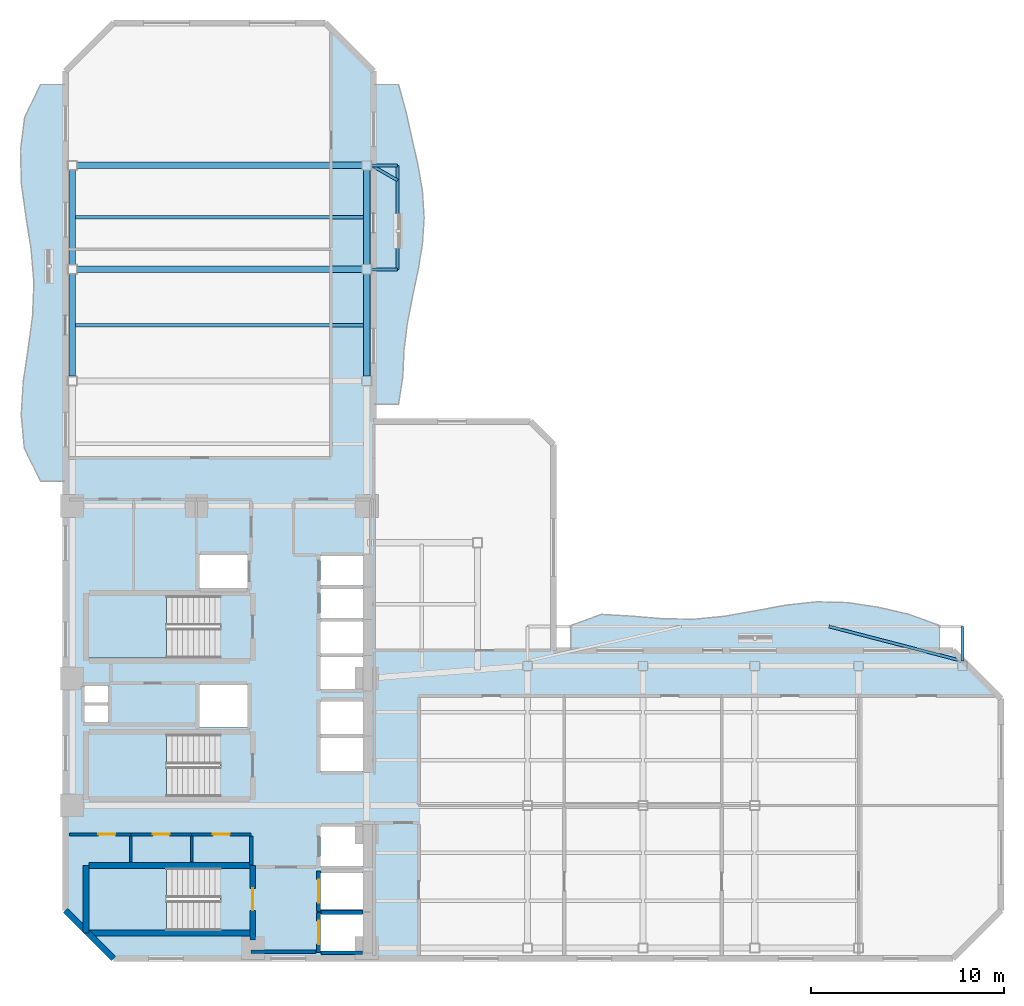
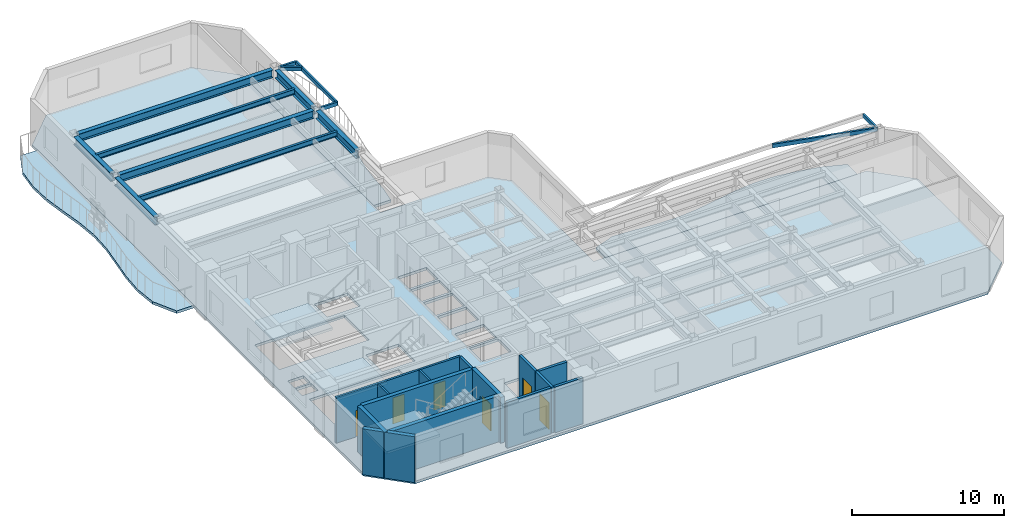
# One storey, part 2 of 9: 16 walls, 14 beams, 7 slabs, 6 doors, 6 openings, 3 elements without a shape of their own.
"""IFC4 building model written with IfcOpenShell, lengths in metres."""

from ifc_helpers import new_model, si_unit, direction, frame, frame_2d, origin, origin_2d, place, context, subcontext, project, spatial, polyline, rectangle, hollow_rectangle, i_section, outline, extrude, material, layer, layer_set, material_profile, profile_set, type_object, element, fill, aggregate, save


model = new_model("IFC4")

# Units and contexts
model_context = context("Model", 3, precision=1e-05, world=origin(), true_north=direction((0.0, 1.0)))
body_context = subcontext(model_context, "Body", "Model", "MODEL_VIEW")
ifc_project = project(units=[si_unit("LENGTHUNIT", "METRE"), si_unit("AREAUNIT", "SQUARE_METRE"), si_unit("VOLUMEUNIT", "CUBIC_METRE"), si_unit("PLANEANGLEUNIT", "RADIAN"), si_unit("MASSUNIT", "GRAM", prefix="KILO")], contexts=[model_context])

# Site, building, storey
site_placement = place(None, origin())
site = spatial("IfcSite", under=ifc_project, at=site_placement, CompositionType="ELEMENT")
building_placement = place(site_placement, origin())
building = spatial("IfcBuilding", under=site, at=building_placement, Name="Mawjaban Terraces University", CompositionType="ELEMENT")
storey_placement = place(building_placement, frame((0.0, 0.0, 126.800048828125)))
storey = spatial("IfcBuildingStorey", under=building, at=storey_placement, Name="L30", CompositionType="ELEMENT", Elevation=126.800048828125)

# Beams
ifc_material_1 = material(Name="Steel EN 10210-1 S355J2H", Category="steel")
ifc_material_profile_1 = material_profile(ifc_material_1, hollow_rectangle(XDim=0.14990234375, YDim=0.300048828125, WallThickness=0.012451171875, at=origin_2d()), Name="RHS300X150X12.5")
ifc_profile_set_1 = profile_set([ifc_material_profile_1], Name="Steel EN 10210-1 S355J2H")
beam_type_1 = type_object("IfcBeamType", Name="BalconyCantileverSpandrel_RHS", PredefinedType="SPANDREL", material=ifc_profile_set_1)
beam_1_placement = place(storey_placement, frame((68.60009765625, 15.449951171875, 3.5400390625), z_axis=(0.0, 1.0, 0.0), x_axis=(-1.0, 0.0, 0.0)))
element("IfcBeam", 1, at=beam_1_placement, inside=storey, type_object=beam_type_1, Name="L30 Exterior Outrigger BAL-L31-N.2", PredefinedType="SPANDREL", context=body_context, shape_type="SweptSolid", body=[
    extrude(hollow_rectangle(XDim=0.14990234375, YDim=0.300048828125, WallThickness=0.012451171875, at=origin_2d()), origin(), (0.0, 0.0, 1.0), 1.800048828125),
])
beam_2_placement = place(storey_placement, frame((68.60009765625, 15.449951171875, 3.5400390625), z_axis=(-0.968014653654, 0.250893663353, 0.0), x_axis=(-0.250893663353, -0.968014653654, 0.0)))
element("IfcBeam", 2, at=beam_2_placement, inside=storey, type_object=beam_type_1, Name="L30 Exterior Diagonal Strut BAL-L31-N.2", PredefinedType="SPANDREL", context=body_context, shape_type="SweptSolid", body=[
    extrude(hollow_rectangle(XDim=0.14990234375, YDim=0.300048828125, WallThickness=0.012451171875, at=origin_2d()), origin(), (0.0, 0.0, 1.0), 7.174560546875),
])
for number, where, z_axis, x_axis, name in (
    (3, (37.89990234375, 35.800048828125, 3.5400390625), (1.0, 0.0, 0.0), (0.0, 1.0, 0.0), "L30 Exterior Outrigger BAL-L31-E.1"),
    (4, (37.89990234375, 41.199951171875, 3.5400390625), (1.0, 0.0, 0.0), (0.0, 1.0, 0.0), "L30 Exterior Outrigger BAL-L31-E.2"),
):
    element("IfcBeam", number, at=place(storey_placement, frame(where, z_axis=z_axis, x_axis=x_axis)), inside=storey, type_object=beam_type_1, Name=name, PredefinedType="SPANDREL", context=body_context, shape_type="SweptSolid", body=[
        extrude(hollow_rectangle(XDim=0.14990234375, YDim=0.300048828125, WallThickness=0.012451171875, at=origin_2d()), origin(), (0.0, 0.0, 1.0), 1.35009765625),
    ])
beam_3_placement = place(storey_placement, frame((39.25, 35.800048828125, 3.5400390625), z_axis=(0.0, 1.0, 0.0), x_axis=(-1.0, 0.0, 0.0)))
element("IfcBeam", 5, at=beam_3_placement, inside=storey, type_object=beam_type_1, Name="L30 Exterior Edge Spandrel BAL-L31-E", PredefinedType="SPANDREL", context=body_context, shape_type="SweptSolid", body=[
    extrude(hollow_rectangle(XDim=0.14990234375, YDim=0.300048828125, WallThickness=0.012451171875, at=origin_2d()), origin(), (0.0, 0.0, 1.0), 5.39990234375),
])
beam_4_placement = place(storey_placement, frame((37.89990234375, 41.199951171875, 3.5400390625), z_axis=(0.865872609263, -0.500264554538, 0.0), x_axis=(0.500264554538, 0.865872609263, 0.0)))
element("IfcBeam", 6, at=beam_4_placement, inside=storey, type_object=beam_type_1, Name="L30 Exterior Diagonal Strut BAL-L31-E.2", PredefinedType="SPANDREL", context=body_context, shape_type="SweptSolid", body=[
    extrude(hollow_rectangle(XDim=0.14990234375, YDim=0.300048828125, WallThickness=0.012451171875, at=origin_2d()), origin(), (0.0, 0.0, 1.0), 1.559326171875),
])
ifc_material_2 = material(Name="Steel ASTM A572 Grade 50", Category="steel")
ifc_material_profile_2 = material_profile(ifc_material_2, i_section(OverallWidth=0.324951171875, OverallDepth=0.615966796875, WebThickness=0.013916015625, FlangeThickness=0.021484375, at=origin_2d()), Name="W610X174")
ifc_profile_set_2 = profile_set([ifc_material_profile_2], Name="Steel ASTM A572 Grade 50")
beam_type_2 = type_object("IfcBeamType", Name="Beam_B_W610X174", PredefinedType="BEAM", material=ifc_profile_set_2)
for number, where, z_axis, x_axis, name in (
    (7, (22.60009765625, 35.800048828125, 3.3818359375), (1.0, 0.0, 0.0), (0.0, 1.0, 0.0), "L30 Beam BM-L30-EW-15"),
    (8, (22.60009765625, 41.199951171875, 3.3818359375), (1.0, 0.0, 0.0), (0.0, 1.0, 0.0), "L30 Beam BM-L30-EW-16"),
):
    element("IfcBeam", number, at=place(storey_placement, frame(where, z_axis=z_axis, x_axis=x_axis)), inside=storey, type_object=beam_type_2, Name=name, PredefinedType="BEAM", context=body_context, shape_type="SweptSolid", body=[
        extrude(i_section(OverallWidth=0.324951171875, OverallDepth=0.615966796875, WebThickness=0.013916015625, FlangeThickness=0.021484375, at=origin_2d()), origin(), (0.0, 0.0, 1.0), 14.7998046875),
    ])
beam_5_placement = place(storey_placement, frame((22.35009765625, 30.25, 3.3818359375), z_axis=(0.0, 1.0, 0.0), x_axis=(-1.0, 0.0, 0.0)))
element("IfcBeam", 9, at=beam_5_placement, inside=storey, type_object=beam_type_2, Name="L30 Beam BM-L30-NS-04", PredefinedType="BEAM", context=body_context, shape_type="SweptSolid", body=[
    extrude(i_section(OverallWidth=0.324951171875, OverallDepth=0.615966796875, WebThickness=0.013916015625, FlangeThickness=0.021484375, at=origin_2d()), origin(), (0.0, 0.0, 1.0), 5.300048828125),
])
beam_6_placement = place(storey_placement, frame((22.35009765625, 36.050048828125, 3.3818359375), z_axis=(0.0, 1.0, 0.0), x_axis=(-1.0, 0.0, 0.0)))
element("IfcBeam", 10, at=beam_6_placement, inside=storey, type_object=beam_type_2, Name="L30 Beam BM-L30-NS-05", PredefinedType="BEAM", context=body_context, shape_type="SweptSolid", body=[
    extrude(i_section(OverallWidth=0.324951171875, OverallDepth=0.615966796875, WebThickness=0.013916015625, FlangeThickness=0.021484375, at=origin_2d()), origin(), (0.0, 0.0, 1.0), 4.89990234375),
])
beam_7_placement = place(storey_placement, frame((37.64990234375, 30.25, 3.3818359375), z_axis=(0.0, 1.0, 0.0), x_axis=(-1.0, 0.0, 0.0)))
element("IfcBeam", 11, at=beam_7_placement, inside=storey, type_object=beam_type_2, Name="L30 Beam BM-L30-NS-10", PredefinedType="BEAM", context=body_context, shape_type="SweptSolid", body=[
    extrude(i_section(OverallWidth=0.324951171875, OverallDepth=0.615966796875, WebThickness=0.013916015625, FlangeThickness=0.021484375, at=origin_2d()), origin(), (0.0, 0.0, 1.0), 5.300048828125),
])
beam_8_placement = place(storey_placement, frame((37.64990234375, 36.050048828125, 3.3818359375), z_axis=(0.0, 1.0, 0.0), x_axis=(-1.0, 0.0, 0.0)))
element("IfcBeam", 12, at=beam_8_placement, inside=storey, type_object=beam_type_2, Name="L30 Beam BM-L30-NS-11", PredefinedType="BEAM", context=body_context, shape_type="SweptSolid", body=[
    extrude(i_section(OverallWidth=0.324951171875, OverallDepth=0.615966796875, WebThickness=0.013916015625, FlangeThickness=0.021484375, at=origin_2d()), origin(), (0.0, 0.0, 1.0), 4.89990234375),
])
ifc_material_profile_3 = material_profile(ifc_material_2, i_section(OverallWidth=0.179931640625, OverallDepth=0.4130859375, WebThickness=0.009765625, FlangeThickness=0.01611328125, at=origin_2d()), Name="W410X74")
ifc_profile_set_3 = profile_set([ifc_material_profile_3], Name="Steel ASTM A572 Grade 50")
beam_type_3 = type_object("IfcBeamType", Name="Beam_J_W410X74", PredefinedType="JOIST", material=ifc_profile_set_3)
for number, where, z_axis, x_axis, name in (
    (13, (22.429931640625, 32.89990234375, 3.48388671875), (1.0, 0.0, 0.0), (0.0, 1.0, 0.0), "L30 Composite Joist JST-L30-19"),
    (14, (22.429931640625, 38.5, 3.48388671875), (1.0, 0.0, 0.0), (0.0, 1.0, 0.0), "L30 Composite Joist JST-L30-20"),
):
    element("IfcBeam", number, at=place(storey_placement, frame(where, z_axis=z_axis, x_axis=x_axis)), inside=storey, type_object=beam_type_3, Name=name, PredefinedType="JOIST", context=body_context, shape_type="SweptSolid", body=[
        extrude(i_section(OverallWidth=0.179931640625, OverallDepth=0.4130859375, WebThickness=0.009765625, FlangeThickness=0.01611328125, at=origin_2d()), origin(), (0.0, 0.0, 1.0), 15.14013671875),
    ])

# Slabs
ifc_material_3 = material(Name="Concrete C40/50", Category="concrete")
ifc_layer_1 = layer(ifc_material_3, 0.2099609375)
ifc_layer_set_1 = layer_set([ifc_layer_1], Name="Concrete C40/50")
slab_type_1 = type_object("IfcSlabType", Name="BalconySlab_210_Ext", PredefinedType="FLOOR", material=ifc_layer_set_1)
slab_1_placement = place(storey_placement, frame((0.0, 0.0, -0.2099609375)))
element("IfcSlab", 15, at=slab_1_placement, inside=storey, type_object=slab_type_1, Name="L30 Planted Balcony Slab west", PredefinedType="FLOOR", context=body_context, shape_type="SweptSolid", body=[
    extrude(outline(polyline([(22.010009765625, 24.800048828125), (22.010009765625, 45.39990234375), (20.699951171875, 45.39990234375), (19.8779296875, 43.68310546875), (19.662109375, 41.967041015625), (19.7109375, 40.25), (19.947998046875, 38.532958984375), (20.218017578125, 36.81689453125), (20.35888671875, 35.10009765625), (20.291015625, 33.383056640625), (20.05810546875, 31.6669921875), (19.805908203125, 29.949951171875), (19.701904296875, 28.23291015625), (19.861083984375, 26.51708984375), (20.699951171875, 24.800048828125), (22.010009765625, 24.800048828125)])), origin(), (0.0, 0.0, 1.0), 0.2099609375),
])
slab_2_placement = place(storey_placement, frame((0.0, 0.0, -0.2099609375)))
element("IfcSlab", 16, at=slab_2_placement, inside=storey, type_object=slab_type_1, Name="L30 Planted Balcony Slab inner_north", PredefinedType="FLOOR", context=body_context, shape_type="SweptSolid", body=[
    extrude(outline(polyline([(48.2509765625, 15.989990234375), (67.39990234375, 15.989990234375), (67.39990234375, 17.300048828125), (65.803955078125, 17.881103515625), (64.208984375, 18.248046875), (62.613037109375, 18.490966796875), (61.01708984375, 18.528076171875), (59.4208984375, 18.35498046875), (57.825927734375, 18.06005859375), (56.22998046875, 17.777099609375), (54.634033203125, 17.6259765625), (53.0380859375, 17.64892578125), (51.44189453125, 17.782958984375), (49.846923828125, 17.8759765625), (48.2509765625, 17.300048828125), (48.2509765625, 15.989990234375)])), origin(), (0.0, 0.0, 1.0), 0.2099609375),
])
slab_3_placement = place(storey_placement, frame((0.0, 0.0, -0.2099609375)))
element("IfcSlab", 17, at=slab_3_placement, inside=storey, type_object=slab_type_1, Name="L30 Planted Balcony Slab inner_east", PredefinedType="FLOOR", context=body_context, shape_type="SweptSolid", body=[
    extrude(outline(polyline([(39.300048828125, 28.800048828125), (39.51904296875, 30.18310546875), (39.5830078125, 31.56689453125), (39.75, 32.949951171875), (40.014892578125, 34.3330078125), (40.31005859375, 35.717041015625), (40.541015625, 37.10009765625), (40.6298828125, 38.48291015625), (40.5419921875, 39.866943359375), (40.303955078125, 41.25), (39.988037109375, 42.633056640625), (39.680908203125, 44.01708984375), (39.300048828125, 45.39990234375), (37.989990234375, 45.39990234375), (37.989990234375, 28.800048828125), (39.300048828125, 28.800048828125)])), origin(), (0.0, 0.0, 1.0), 0.2099609375),
])
ifc_layer_2 = layer(ifc_material_3, 0.2099609375)
ifc_layer_set_2 = layer_set([ifc_layer_2], Name="Concrete C40/50")
slab_type_2 = type_object("IfcSlabType", Name="CompositeSlab_210", PredefinedType="FLOOR", material=ifc_layer_set_2)
slab_4_placement = place(storey_placement, frame((0.0, 0.0, -0.2099609375)))
element("IfcSlab", 18, at=slab_4_placement, inside=storey, type_object=slab_type_2, Name="L30 Primary Structural Slab", PredefinedType="FLOOR", context=body_context, shape_type="SweptSolid", body=[
    extrude(outline(polyline([(24.5, 0.0), (68.10009765625, 0.0), (70.60009765625, 2.5), (70.60009765625, 13.5), (68.10009765625, 16.0), (47.35107421875, 16.0), (47.35107421875, 26.699951171875), (46.15087890625, 27.89990234375), (38.0, 27.89990234375), (38.0, 46.10009765625), (35.5, 48.60009765625), (24.5, 48.60009765625), (22.0, 46.10009765625), (22.0, 2.5), (24.5, 0.0)]), holes=[polyline([(30.014892578125, 4.699951171875), (23.199951171875, 4.699951171875), (23.199951171875, 1.449951171875), (30.014892578125, 1.449951171875), (30.014892578125, 4.699951171875)]), polyline([(30.014892578125, 18.85009765625), (23.199951171875, 18.85009765625), (23.199951171875, 15.60009765625), (30.014892578125, 15.60009765625), (30.014892578125, 18.85009765625)]), polyline([(30.014892578125, 11.64990234375), (23.199951171875, 11.64990234375), (23.199951171875, 8.39990234375), (30.014892578125, 8.39990234375), (30.014892578125, 11.64990234375)]), polyline([(35.25, 0.39990234375), (37.449951171875, 0.39990234375), (37.449951171875, 2.300048828125), (35.25, 2.300048828125), (35.25, 0.39990234375)]), polyline([(35.25, 2.550048828125), (37.449951171875, 2.550048828125), (37.449951171875, 4.449951171875), (35.25, 4.449951171875), (35.25, 2.550048828125)]), polyline([(35.25, 4.800048828125), (37.449951171875, 4.800048828125), (37.449951171875, 6.85009765625), (35.25, 6.85009765625), (35.25, 4.800048828125)]), polyline([(35.25, 9.75), (37.449951171875, 9.75), (37.449951171875, 11.449951171875), (35.25, 11.449951171875), (35.25, 9.75)]), polyline([(35.25, 11.64990234375), (37.449951171875, 11.64990234375), (37.449951171875, 13.35009765625), (35.25, 13.35009765625), (35.25, 11.64990234375)]), polyline([(28.949951171875, 12.0), (31.449951171875, 12.0), (31.449951171875, 14.199951171875), (28.949951171875, 14.199951171875), (28.949951171875, 12.0)]), polyline([(35.25, 14.0), (37.449951171875, 14.0), (37.449951171875, 15.64990234375), (35.25, 15.64990234375), (35.25, 14.0)]), polyline([(35.25, 15.85009765625), (37.449951171875, 15.85009765625), (37.449951171875, 17.5), (35.25, 17.5), (35.25, 15.85009765625)]), polyline([(35.25, 17.699951171875), (37.449951171875, 17.699951171875), (37.449951171875, 19.199951171875), (35.25, 19.199951171875), (35.25, 17.699951171875)]), polyline([(35.25, 19.39990234375), (37.449951171875, 19.39990234375), (37.449951171875, 20.89990234375), (35.25, 20.89990234375), (35.25, 19.39990234375)]), polyline([(28.949951171875, 19.25), (31.449951171875, 19.25), (31.449951171875, 20.949951171875), (28.949951171875, 20.949951171875), (28.949951171875, 19.25)]), polyline([(23.0, 12.25), (24.199951171875, 12.25), (24.199951171875, 13.14990234375), (23.0, 13.14990234375), (23.0, 12.25)]), polyline([(23.0, 13.300048828125), (24.199951171875, 13.300048828125), (24.199951171875, 14.179931640625), (23.0, 14.179931640625), (23.0, 13.300048828125)])]), origin(), (0.0, 0.0, 1.0), 0.2099609375),
])

# Stair, slab
stair_type = type_object("IfcStairType", Name="Stair_Core1550_H39", PredefinedType="HALF_TURN_STAIR", material=ifc_material_3)
stair_1_placement = place(storey_placement, origin())
stair_1 = element("IfcStair", 19, at=stair_1_placement, inside=storey, type_object=stair_type, Name="L30 Core Exit Stair 1", PredefinedType="HALF_TURN_STAIR")
ifc_layer_3 = layer(ifc_material_3, 0.199951171875)
ifc_layer_set_3 = layer_set([ifc_layer_3], Name="Concrete C40/50")
slab_type_3 = type_object("IfcSlabType", Name="StairLandingSlab_200", PredefinedType="LANDING", material=ifc_layer_set_3)
slab_5_placement = place(storey_placement, frame((0.0, 0.0, 1.75)))
slab_5 = element("IfcSlab", 20, at=slab_5_placement, type_object=slab_type_3, Name="ST-1 landing 1", PredefinedType="LANDING", context=body_context, shape_type="SweptSolid", body=[
    extrude(outline(polyline([(27.25, 4.699951171875), (23.199951171875, 4.699951171875), (23.199951171875, 1.449951171875), (27.25, 1.449951171875), (27.25, 4.699951171875)])), origin(), (0.0, 0.0, 1.0), 0.199951171875),
])
aggregate(stair_1, [slab_5])

stair_2_placement = place(storey_placement, origin())
stair_2 = element("IfcStair", 21, at=stair_2_placement, inside=storey, type_object=stair_type, Name="L30 Core Exit Stair 2", PredefinedType="HALF_TURN_STAIR")
slab_6_placement = place(storey_placement, frame((0.0, 0.0, 1.75)))
slab_6 = element("IfcSlab", 22, at=slab_6_placement, type_object=slab_type_3, Name="ST-2 landing 1", PredefinedType="LANDING", context=body_context, shape_type="SweptSolid", body=[
    extrude(outline(polyline([(27.25, 18.85009765625), (23.199951171875, 18.85009765625), (23.199951171875, 15.60009765625), (27.25, 15.60009765625), (27.25, 18.85009765625)])), origin(), (0.0, 0.0, 1.0), 0.199951171875),
])
aggregate(stair_2, [slab_6])

stair_3_placement = place(storey_placement, origin())
stair_3 = element("IfcStair", 23, at=stair_3_placement, inside=storey, type_object=stair_type, Name="L30 Core Exit Stair 3", PredefinedType="HALF_TURN_STAIR")
slab_7_placement = place(storey_placement, frame((0.0, 0.0, 1.75)))
slab_7 = element("IfcSlab", 24, at=slab_7_placement, type_object=slab_type_3, Name="ST-3 landing 1", PredefinedType="LANDING", context=body_context, shape_type="SweptSolid", body=[
    extrude(outline(polyline([(27.25, 11.64990234375), (23.199951171875, 11.64990234375), (23.199951171875, 8.39990234375), (27.25, 8.39990234375), (27.25, 11.64990234375)])), origin(), (0.0, 0.0, 1.0), 0.199951171875),
])
aggregate(stair_3, [slab_7])

# Wall, opening, door
ifc_material_4 = material(Name="Fire-rated gypsum board on steel stud", Category="steel")
ifc_layer_4 = layer(ifc_material_4, 0.159912109375)
ifc_layer_set_4 = layer_set([ifc_layer_4], Name="Fire-rated gypsum board on steel stud")
wall_type_1 = type_object("IfcWallType", Name="CorridorPartition_160", PredefinedType="PARTITIONING", material=ifc_layer_set_4)
wall_1_placement = place(storey_placement, frame((22.199951171875, 6.449951171875, 0.0), z_axis=(0.0, 0.0, 1.0), x_axis=(1.0, 0.0, 0.0)))
wall_1 = element("IfcWall", 25, at=wall_1_placement, inside=storey, type_object=wall_type_1, Name="L30 Core Washroom Lobby Partition 1", PredefinedType="PARTITIONING", context=body_context, shape_type="SweptSolid", body=[
    extrude(rectangle(XDim=3.199951171875, YDim=0.159912109375, at=frame_2d((1.60009765625, 0.0))), origin(), (0.0, 0.0, 1.0), 3.68994140625),
])
opening_1_placement = place(wall_1_placement, frame((1.510009765625, 0.0, 0.0)))
opening_1 = element("IfcOpeningElement", 26, at=opening_1_placement, cuts=wall_1, Name="Opening ID-088", PredefinedType="OPENING", context=body_context, shape_type="SweptSolid", body=[
    extrude(rectangle(XDim=0.8798828125, YDim=2.10009765625, at=frame_2d((0.43994140625, 1.050048828125))), frame((0.0, 0.08984375, 0.0), z_axis=(0.0, -1.0, 0.0), x_axis=(1.0, 0.0, 0.0)), (0.0, 0.0, 1.0), 0.179931640625),
])
ifc_material_5 = material(Name="Powder-coated steel frame and solid acoustic timber leaf", Category="steel")
door_type_1 = type_object("IfcDoorType", Name="ToiletDoor_880x2100", OperationType="NOTDEFINED", PredefinedType="DOOR", material=ifc_material_5)
door_1_placement = place(opening_1_placement, origin())
door_1 = element("IfcDoor", 27, at=door_1_placement, inside=storey, type_object=door_type_1, Name="L30 Male Toilet Door", OperationType="SINGLE_SWING_LEFT", OverallHeight=2.10009765625, OverallWidth=0.8798828125, PredefinedType="DOOR", context=body_context, shape_type="SweptSolid", body=[
    extrude(rectangle(XDim=0.8798828125, YDim=2.10009765625, at=frame_2d((0.43994140625, 1.050048828125))), frame((0.0, 0.02490234375, 0.0), z_axis=(0.0, -1.0, 0.0), x_axis=(1.0, 0.0, 0.0)), (0.0, 0.0, 1.0), 0.050048828125),
])
fill(opening_1, door_1)

wall_2_placement = place(storey_placement, frame((25.39990234375, 6.449951171875, 0.0), z_axis=(0.0, 0.0, 1.0), x_axis=(1.0, 0.0, 0.0)))
wall_2 = element("IfcWall", 28, at=wall_2_placement, inside=storey, type_object=wall_type_1, Name="L30 Core Washroom Lobby Partition 4", PredefinedType="PARTITIONING", context=body_context, shape_type="SweptSolid", body=[
    extrude(rectangle(XDim=3.150146484375, YDim=0.159912109375, at=frame_2d((1.5751953125, 0.0))), origin(), (0.0, 0.0, 1.0), 3.68994140625),
])
opening_2_placement = place(wall_2_placement, frame((1.135009765625, 0.0, 0.0)))
opening_2 = element("IfcOpeningElement", 29, at=opening_2_placement, cuts=wall_2, Name="Opening ID-088", PredefinedType="OPENING", context=body_context, shape_type="SweptSolid", body=[
    extrude(rectangle(XDim=0.8798828125, YDim=2.10009765625, at=frame_2d((0.43994140625, 1.050048828125))), frame((0.0, 0.08984375, 0.0), z_axis=(0.0, -1.0, 0.0), x_axis=(1.0, 0.0, 0.0)), (0.0, 0.0, 1.0), 0.179931640625),
])
door_2_placement = place(opening_2_placement, origin())
door_2 = element("IfcDoor", 30, at=door_2_placement, inside=storey, type_object=door_type_1, Name="L30 Female Toilet Door", OperationType="SINGLE_SWING_RIGHT", OverallHeight=2.10009765625, OverallWidth=0.8798828125, PredefinedType="DOOR", context=body_context, shape_type="SweptSolid", body=[
    extrude(rectangle(XDim=0.8798828125, YDim=2.10009765625, at=frame_2d((0.43994140625, 1.050048828125))), frame((0.0, 0.02490234375, 0.0), z_axis=(0.0, -1.0, 0.0), x_axis=(1.0, 0.0, 0.0)), (0.0, 0.0, 1.0), 0.050048828125),
])
fill(opening_2, door_2)

wall_3_placement = place(storey_placement, frame((28.550048828125, 6.449951171875, 0.0), z_axis=(0.0, 0.0, 1.0), x_axis=(1.0, 0.0, 0.0)))
wall_3 = element("IfcWall", 31, at=wall_3_placement, inside=storey, type_object=wall_type_1, Name="L30 Core Washroom Lobby Partition 6", PredefinedType="PARTITIONING", context=body_context, shape_type="SweptSolid", body=[
    extrude(rectangle(XDim=3.099853515625, YDim=0.159912109375, at=frame_2d((1.5498046875, 0.0))), origin(), (0.0, 0.0, 1.0), 3.68994140625),
])
opening_3_placement = place(wall_3_placement, frame((1.110107421875, 0.0, 0.0)))
opening_3 = element("IfcOpeningElement", 32, at=opening_3_placement, cuts=wall_3, Name="Opening ID-088", PredefinedType="OPENING", context=body_context, shape_type="SweptSolid", body=[
    extrude(rectangle(XDim=0.8798828125, YDim=2.10009765625, at=frame_2d((0.43994140625, 1.050048828125))), frame((0.0, 0.08984375, 0.0), z_axis=(0.0, -1.0, 0.0), x_axis=(1.0, 0.0, 0.0)), (0.0, 0.0, 1.0), 0.179931640625),
])
door_3_placement = place(opening_3_placement, origin())
door_3 = element("IfcDoor", 33, at=door_3_placement, inside=storey, type_object=door_type_1, Name="L30 Accessible Toilet Door", OperationType="SINGLE_SWING_LEFT", OverallHeight=2.10009765625, OverallWidth=0.8798828125, PredefinedType="DOOR", context=body_context, shape_type="SweptSolid", body=[
    extrude(rectangle(XDim=0.8798828125, YDim=2.10009765625, at=frame_2d((0.43994140625, 1.050048828125))), frame((0.0, 0.02490234375, 0.0), z_axis=(0.0, -1.0, 0.0), x_axis=(1.0, 0.0, 0.0)), (0.0, 0.0, 1.0), 0.050048828125),
])
fill(opening_3, door_3)

# Walls
wall_4_placement = place(storey_placement, frame((31.64990234375, 4.860107421875, 0.0), z_axis=(0.0, 0.0, 1.0), x_axis=(0.0, 1.0, 0.0)))
element("IfcWall", 34, at=wall_4_placement, inside=storey, type_object=wall_type_1, Name="L30 Accessible Toilet Partition 31", PredefinedType="PARTITIONING", context=body_context, shape_type="SweptSolid", body=[
    extrude(rectangle(XDim=1.514892578125, YDim=0.159912109375, at=frame_2d((0.75732421875, 0.0))), origin(), (0.0, 0.0, 1.0), 3.68994140625),
])
ifc_material_6 = material(Name="Insulated terracotta rainscreen on concrete backup C40/50", Category="masonry")
ifc_layer_5 = layer(ifc_material_6, 0.300048828125)
ifc_layer_set_5 = layer_set([ifc_layer_5], Name="Insulated terracotta rainscreen on concrete backup C40/50")
wall_type_2 = type_object("IfcWallType", Name="ExtTerracottaWall_300", PredefinedType="SOLIDWALL", material=ifc_layer_set_5)
wall_5_placement = place(storey_placement, frame((22.0, 2.5, 0.0), z_axis=(0.0, 0.0, 1.0), x_axis=(0.707106781187, -0.707106781187, 0.0)))
element("IfcWall", 35, at=wall_5_placement, inside=storey, type_object=wall_type_2, Name="L30 Exterior Terracotta Wall 14", PredefinedType="SOLIDWALL", context=body_context, shape_type="SweptSolid", body=[
    extrude(rectangle(XDim=3.53564453125, YDim=0.300048828125, at=frame_2d((1.767822265625, 0.0))), origin(), (0.0, 0.0, 1.0), 3.68994140625),
])

# Wall, opening, door
ifc_layer_6 = layer(ifc_material_3, 0.199951171875)
ifc_layer_set_6 = layer_set([ifc_layer_6], Name="Concrete C40/50")
wall_type_3 = type_object("IfcWallType", Name="FireLobbyWall_200", PredefinedType="SOLIDWALL", material=ifc_layer_set_6)
wall_6_placement = place(storey_placement, frame((35.14990234375, 2.39990234375, 0.0), z_axis=(0.0, 0.0, 1.0), x_axis=(0.0, -1.0, 0.0)))
wall_6 = element("IfcWall", 36, at=wall_6_placement, inside=storey, type_object=wall_type_3, Name="L30 Lift FL-1 Hoistway Wall West", PredefinedType="SOLIDWALL", context=body_context, shape_type="SweptSolid", body=[
    extrude(rectangle(XDim=2.099853515625, YDim=0.199951171875, at=frame_2d((1.0498046875, 0.0))), origin(), (0.0, 0.0, 1.0), 3.68994140625),
])
opening_4_placement = place(wall_6_placement, frame((0.449951171875, 0.0, 0.0)))
opening_4 = element("IfcOpeningElement", 37, at=opening_4_placement, cuts=wall_6, Name="Opening LD-FL-1", PredefinedType="OPENING", context=body_context, shape_type="SweptSolid", body=[
    extrude(rectangle(XDim=1.199951171875, YDim=2.14990234375, at=frame_2d((0.60009765625, 1.074951171875))), frame((0.0, 0.10986328125, 0.0), z_axis=(0.0, -1.0, 0.0), x_axis=(1.0, 0.0, 0.0)), (0.0, 0.0, 1.0), 0.219970703125),
])
ifc_material_7 = material(Name="Powder-coated steel frame and fire-rated steel-faced leaf", Category="steel")
door_type_2 = type_object("IfcDoorType", Name="LiftLandingFSAE_1200x2150", OperationType="NOTDEFINED", PredefinedType="DOOR", material=ifc_material_7)
door_4_placement = place(opening_4_placement, origin())
door_4 = element("IfcDoor", 38, at=door_4_placement, inside=storey, type_object=door_type_2, Name="L30 Lift FL-1 Sliding Landing Door", OperationType="DOUBLE_DOOR_SLIDING", OverallHeight=2.14990234375, OverallWidth=1.199951171875, PredefinedType="DOOR", context=body_context, shape_type="SweptSolid", body=[
    extrude(rectangle(XDim=1.199951171875, YDim=2.14990234375, at=frame_2d((0.60009765625, 1.074951171875))), frame((0.0, 0.02490234375, 0.0), z_axis=(0.0, -1.0, 0.0), x_axis=(1.0, 0.0, 0.0)), (0.0, 0.0, 1.0), 0.050048828125),
])
fill(opening_4, door_4)

# Walls
for number, where, z_axis, x_axis, name in (
    (39, (35.280029296875, 0.300048828125, 0.0), (0.0, 0.0, 1.0), (1.0, 0.0, 0.0), "L30 Lift FL-1 Hoistway Wall South"),
    (40, (37.419921875, 2.39990234375, 0.0), (0.0, 0.0, 1.0), (-1.0, 0.0, 0.0), "L30 Lift FL-1 Hoistway Wall North"),
):
    element("IfcWall", number, at=place(storey_placement, frame(where, z_axis=z_axis, x_axis=x_axis)), inside=storey, type_object=wall_type_3, Name=name, PredefinedType="SOLIDWALL", context=body_context, shape_type="SweptSolid", body=[
        extrude(rectangle(XDim=2.139892578125, YDim=0.199951171875, at=frame_2d((1.06982421875, 0.0))), origin(), (0.0, 0.0, 1.0), 3.68994140625),
    ])

# Wall, opening, door
wall_7_placement = place(storey_placement, frame((35.14990234375, 4.550048828125, 0.0), z_axis=(0.0, 0.0, 1.0), x_axis=(0.0, -1.0, 0.0)))
wall_7 = element("IfcWall", 41, at=wall_7_placement, inside=storey, type_object=wall_type_3, Name="L30 Lift FL-2 Hoistway Wall West", PredefinedType="SOLIDWALL", context=body_context, shape_type="SweptSolid", body=[
    extrude(rectangle(XDim=2.10009765625, YDim=0.199951171875, at=frame_2d((1.050048828125, 0.0))), origin(), (0.0, 0.0, 1.0), 3.68994140625),
])
opening_5_placement = place(wall_7_placement, frame((0.449951171875, 0.0, 0.0)))
opening_5 = element("IfcOpeningElement", 42, at=opening_5_placement, cuts=wall_7, Name="Opening LD-FL-2", PredefinedType="OPENING", context=body_context, shape_type="SweptSolid", body=[
    extrude(rectangle(XDim=1.199951171875, YDim=2.14990234375, at=frame_2d((0.60009765625, 1.074951171875))), frame((0.0, 0.10986328125, 0.0), z_axis=(0.0, -1.0, 0.0), x_axis=(1.0, 0.0, 0.0)), (0.0, 0.0, 1.0), 0.219970703125),
])
door_5_placement = place(opening_5_placement, origin())
door_5 = element("IfcDoor", 43, at=door_5_placement, inside=storey, type_object=door_type_2, Name="L30 Lift FL-2 Sliding Landing Door", OperationType="DOUBLE_DOOR_SLIDING", OverallHeight=2.14990234375, OverallWidth=1.199951171875, PredefinedType="DOOR", context=body_context, shape_type="SweptSolid", body=[
    extrude(rectangle(XDim=1.199951171875, YDim=2.14990234375, at=frame_2d((0.60009765625, 1.074951171875))), frame((0.0, 0.02490234375, 0.0), z_axis=(0.0, -1.0, 0.0), x_axis=(1.0, 0.0, 0.0)), (0.0, 0.0, 1.0), 0.050048828125),
])
fill(opening_5, door_5)

# Walls
wall_8_placement = place(storey_placement, frame((31.64990234375, 0.35009765625, 0.0), z_axis=(0.0, 0.0, 1.0), x_axis=(1.0, 0.0, 0.0)))
element("IfcWall", 44, at=wall_8_placement, inside=storey, type_object=wall_type_3, Name="L30 Firefighting Lift Lobby Partition 8", PredefinedType="SOLIDWALL", context=body_context, shape_type="SweptSolid", body=[
    extrude(rectangle(XDim=3.3701171875, YDim=0.199951171875, at=frame_2d((1.68505859375, 0.0))), origin(), (0.0, 0.0, 1.0), 3.68994140625),
])
ifc_material_8 = material(Name="Concrete C60/75", Category="concrete")
ifc_layer_7 = layer(ifc_material_8, 0.300048828125)
ifc_layer_set_7 = layer_set([ifc_layer_7], Name="Concrete C60/75")
wall_type_4 = type_object("IfcWallType", Name="StairShaftWall_300", PredefinedType="SHEAR", material=ifc_layer_set_7)
wall_9_placement = place(storey_placement, frame((31.580078125, 4.830078125, 0.0), z_axis=(0.0, 0.0, 1.0), x_axis=(-1.0, 0.0, 0.0)))
element("IfcWall", 45, at=wall_9_placement, inside=storey, type_object=wall_type_4, Name="L30 ST-1 Stair Shaft Wall 1", PredefinedType="SHEAR", context=body_context, shape_type="SweptSolid", body=[
    extrude(rectangle(XDim=8.360107421875, YDim=0.300048828125, at=frame_2d((4.18017578125, 0.0))), origin(), (0.0, 0.0, 1.0), 3.68994140625),
])
wall_10_placement = place(storey_placement, frame((23.070068359375, 4.830078125, 0.0), z_axis=(0.0, 0.0, 1.0), x_axis=(0.0, -1.0, 0.0)))
element("IfcWall", 46, at=wall_10_placement, inside=storey, type_object=wall_type_4, Name="L30 ST-1 Stair Shaft Wall 2", PredefinedType="SHEAR", context=body_context, shape_type="SweptSolid", body=[
    extrude(rectangle(XDim=3.510009765625, YDim=0.300048828125, at=frame_2d((1.7548828125, 0.0))), origin(), (0.0, 0.0, 1.0), 3.68994140625),
])
wall_11_placement = place(storey_placement, frame((23.219970703125, 1.320068359375, 0.0), z_axis=(0.0, 0.0, 1.0), x_axis=(1.0, 0.0, 0.0)))
element("IfcWall", 47, at=wall_11_placement, inside=storey, type_object=wall_type_4, Name="L30 ST-1 Stair Shaft Wall 3", PredefinedType="SHEAR", context=body_context, shape_type="SweptSolid", body=[
    extrude(rectangle(XDim=8.360107421875, YDim=0.300048828125, at=frame_2d((4.18017578125, 0.0))), origin(), (0.0, 0.0, 1.0), 3.68994140625),
])

# Wall, opening, door
wall_12_placement = place(storey_placement, frame((31.72998046875, 0.9599609375, 0.0), z_axis=(0.0, 0.0, 1.0), x_axis=(0.0, 1.0, 0.0)))
wall_12 = element("IfcWall", 48, at=wall_12_placement, inside=storey, type_object=wall_type_4, Name="L30 ST-1 Stair Shaft Wall 4", PredefinedType="SHEAR", context=body_context, shape_type="SweptSolid", body=[
    extrude(rectangle(XDim=3.8701171875, YDim=0.300048828125, at=frame_2d((1.93505859375, 0.0))), origin(), (0.0, 0.0, 1.0), 3.68994140625),
])
opening_6_placement = place(wall_12_placement, frame((1.5400390625, 0.0, 0.0)))
opening_6 = element("IfcOpeningElement", 49, at=opening_6_placement, cuts=wall_12, Name="Opening FD-115", PredefinedType="OPENING", context=body_context, shape_type="SweptSolid", body=[
    extrude(rectangle(XDim=1.14990234375, YDim=2.14990234375, at=frame_2d((0.574951171875, 1.074951171875))), frame((0.0, 0.159912109375, 0.0), z_axis=(0.0, -1.0, 0.0), x_axis=(1.0, 0.0, 0.0)), (0.0, 0.0, 1.0), 0.320068359375),
])
door_type_3 = type_object("IfcDoorType", Name="FireStairDoor_1150x2150", OperationType="NOTDEFINED", PredefinedType="DOOR", material=ifc_material_7)
door_6_placement = place(opening_6_placement, origin())
door_6 = element("IfcDoor", 50, at=door_6_placement, inside=storey, type_object=door_type_3, Name="L30 ST-1 Pressurised Stair Fire Door", OperationType="SINGLE_SWING_LEFT", OverallHeight=2.14990234375, OverallWidth=1.14990234375, PredefinedType="DOOR", context=body_context, shape_type="SweptSolid", body=[
    extrude(rectangle(XDim=1.14990234375, YDim=2.14990234375, at=frame_2d((0.574951171875, 1.074951171875))), frame((0.0, 0.02490234375, 0.0), z_axis=(0.0, -1.0, 0.0), x_axis=(1.0, 0.0, 0.0)), (0.0, 0.0, 1.0), 0.050048828125),
])
fill(opening_6, door_6)

# Walls
ifc_material_9 = material(Name="Cement-board wet-room partition", Category="masonry")
ifc_layer_8 = layer(ifc_material_9, 0.135009765625)
ifc_layer_set_8 = layer_set([ifc_layer_8], Name="Cement-board wet-room partition")
wall_type_5 = type_object("IfcWallType", Name="WetRoomPartition_135", PredefinedType="PARTITIONING", material=ifc_layer_set_8)
for number, where, z_axis, x_axis, name in (
    (51, (25.39990234375, 5.010009765625, 0.0), (0.0, 0.0, 1.0), (0.0, 1.0, 0.0), "L30 Male Toilet Partition 27"),
    (52, (28.550048828125, 5.010009765625, 0.0), (0.0, 0.0, 1.0), (0.0, 1.0, 0.0), "L30 Female Toilet Partition 29"),
):
    element("IfcWall", number, at=place(storey_placement, frame(where, z_axis=z_axis, x_axis=x_axis)), inside=storey, type_object=wall_type_5, Name=name, PredefinedType="PARTITIONING", context=body_context, shape_type="SweptSolid", body=[
        extrude(rectangle(XDim=1.364990234375, YDim=0.135009765625, at=frame_2d((0.6826171875, 0.0))), origin(), (0.0, 0.0, 1.0), 3.68994140625),
    ])

save(model, "model.ifc")
